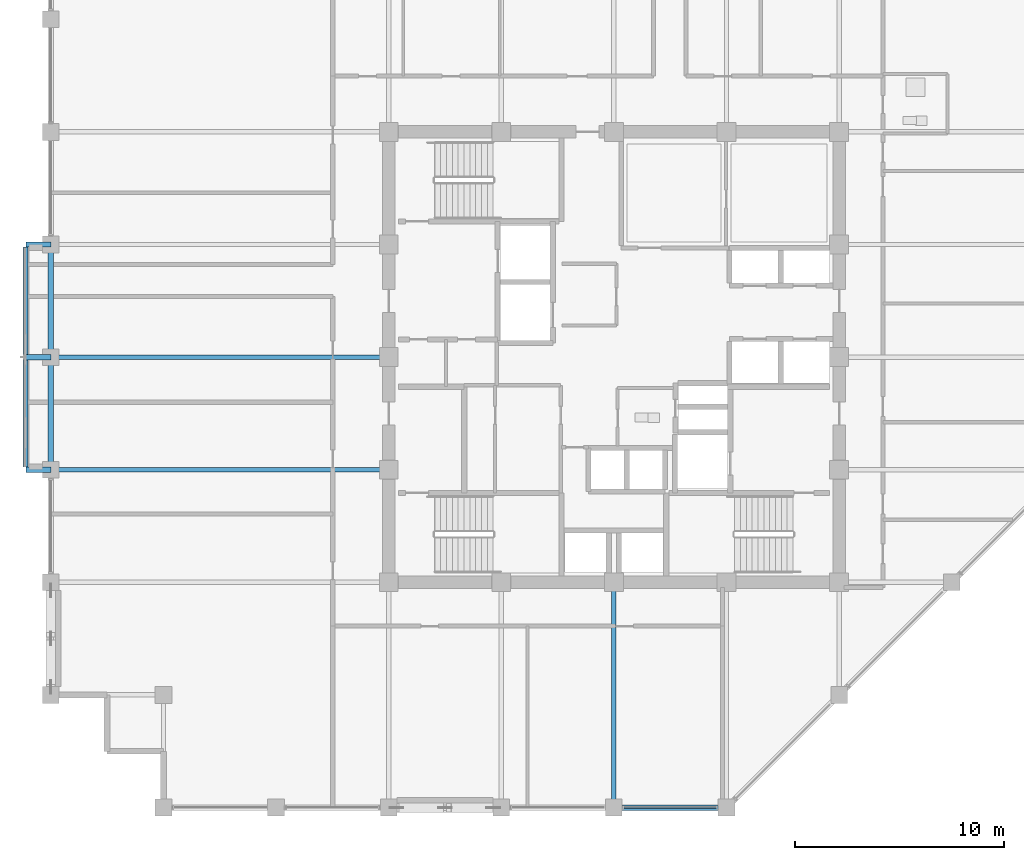
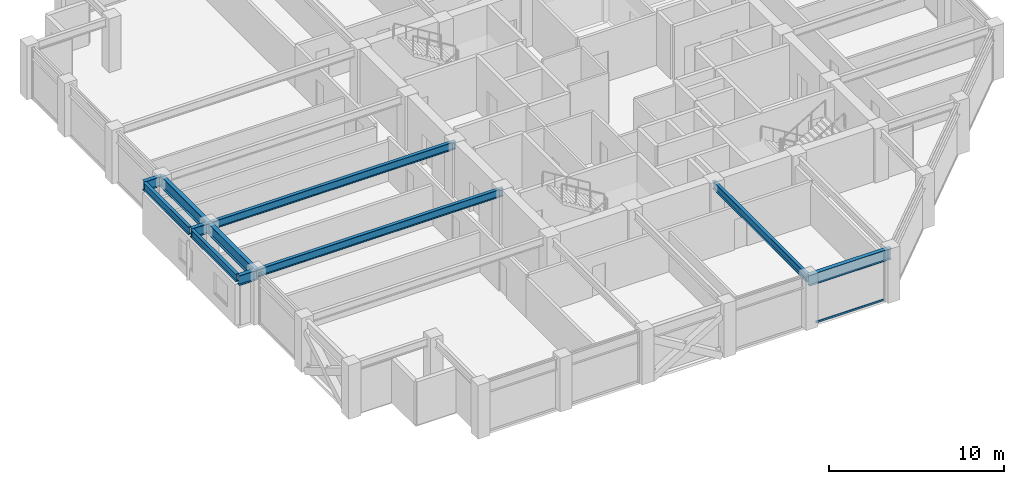
# One storey, part 7 of 30: 11 beams, 1 member, 1 element without a shape of its own.
"""IFC4 building model written with IfcOpenShell, lengths in metres."""

from ifc_helpers import new_model, si_unit, direction, frame, origin, origin_2d, place, context, subcontext, project, spatial, hollow_rectangle, i_section, extrude, material, layer, layer_set, material_profile, profile_set, type_object, element, aggregate, save


model = new_model("IFC4")

# Units and contexts
model_context = context("Model", 3, precision=1e-05, world=origin(), true_north=direction((0.0, 1.0)))
body_context = subcontext(model_context, "Body", "Model", "MODEL_VIEW")
ifc_project = project(units=[si_unit("LENGTHUNIT", "METRE"), si_unit("AREAUNIT", "SQUARE_METRE"), si_unit("VOLUMEUNIT", "CUBIC_METRE"), si_unit("PLANEANGLEUNIT", "RADIAN"), si_unit("MASSUNIT", "GRAM", prefix="KILO")], contexts=[model_context])

# Site, building, storey
site_placement = place(None, origin())
site = spatial("IfcSite", under=ifc_project, at=site_placement, CompositionType="ELEMENT")
building_placement = place(site_placement, origin())
building = spatial("IfcBuilding", under=site, at=building_placement, Name="Surkhivell Harbour Commons", CompositionType="ELEMENT")
storey_placement = place(building_placement, frame((0.0, 0.0, 227.25)))
storey = spatial("IfcBuildingStorey", under=building, at=storey_placement, Name="L59", CompositionType="ELEMENT", Elevation=227.25)

# Beams
ifc_material_1 = material(Name="Steel S460", Category="steel")
ifc_material_profile_1 = material_profile(ifc_material_1, i_section(OverallWidth=0.256103515625, OverallDepth=0.693115234375, WebThickness=0.014404296875, FlangeThickness=0.023681640625, at=origin_2d()), Name="UB686x254x170")
ifc_profile_set_1 = profile_set([ifc_material_profile_1], Name="Steel S460")
beam_type_1 = type_object("IfcBeamType", Name="BM-CNT-686", PredefinedType="BEAM", material=ifc_profile_set_1)
for number, where, z_axis, x_axis, name in (
    (1, (-27.0, -5.39990234375, 3.223388671875), (-1.0, 0.0, 0.0), (0.0, -1.0, 0.0), "L59 Box Cantilever Outrigger (-27.0,-5.4)"),
    (2, (-27.0, 0.0, 3.223388671875), (-1.0, 0.0, 0.0), (0.0, -1.0, 0.0), "L59 Box Cantilever Outrigger (-27.0,0.0)"),
    (3, (-27.0, 5.39990234375, 3.223388671875), (-1.0, 0.0, 0.0), (0.0, -1.0, 0.0), "L59 Box Cantilever Outrigger (-27.0,5.4)"),
):
    element("IfcBeam", number, at=place(storey_placement, frame(where, z_axis=z_axis, x_axis=x_axis)), inside=storey, type_object=beam_type_1, Name=name, PredefinedType="BEAM", context=body_context, shape_type="SweptSolid", body=[
        extrude(i_section(OverallWidth=0.256103515625, OverallDepth=0.693115234375, WebThickness=0.014404296875, FlangeThickness=0.023681640625, at=origin_2d()), origin(), (0.0, 0.0, 1.0), 1.199951171875),
    ])
ifc_material_2 = material(Name="Steel S355", Category="steel")
ifc_material_profile_2 = material_profile(ifc_material_2, i_section(OverallWidth=0.2119140625, OverallDepth=0.5439453125, WebThickness=0.0126953125, FlangeThickness=0.021240234375, at=origin_2d()), Name="UB533x210x122")
ifc_profile_set_2 = profile_set([ifc_material_profile_2], Name="Steel S355")
beam_type_2 = type_object("IfcBeamType", Name="BM-GRD-533A", PredefinedType="BEAM", material=ifc_profile_set_2)
for number, where, z_axis, x_axis, name in (
    (4, (-27.0, -5.39990234375, 3.298095703125), (1.0, 0.0, 0.0), (0.0, 1.0, 0.0), "L59 Floor Girder (-27.0,-5.4)"),
    (5, (-27.0, 0.0, 3.298095703125), (1.0, 0.0, 0.0), (0.0, 1.0, 0.0), "L59 Floor Girder (-27.0,0.0)"),
):
    element("IfcBeam", number, at=place(storey_placement, frame(where, z_axis=z_axis, x_axis=x_axis)), inside=storey, type_object=beam_type_2, Name=name, PredefinedType="BEAM", context=body_context, shape_type="SweptSolid", body=[
        extrude(i_section(OverallWidth=0.2119140625, OverallDepth=0.5439453125, WebThickness=0.0126953125, FlangeThickness=0.021240234375, at=origin_2d()), origin(), (0.0, 0.0, 1.0), 16.199951171875),
    ])
beam_placement = place(storey_placement, frame((0.0, -21.60009765625, 3.298095703125), z_axis=(0.0, 1.0, 0.0), x_axis=(-1.0, 0.0, 0.0)))
element("IfcBeam", 6, at=beam_placement, inside=storey, type_object=beam_type_2, Name="L59 Floor Girder (0.0,-21.6)", PredefinedType="BEAM", context=body_context, shape_type="SweptSolid", body=[
    extrude(i_section(OverallWidth=0.2119140625, OverallDepth=0.5439453125, WebThickness=0.0126953125, FlangeThickness=0.021240234375, at=origin_2d()), origin(), (0.0, 0.0, 1.0), 10.800048828125),
])
ifc_material_profile_3 = material_profile(ifc_material_2, i_section(OverallWidth=0.2099609375, OverallDepth=0.537109375, WebThickness=0.0107421875, FlangeThickness=0.017333984375, at=origin_2d()), Name="UB533x210x101")
ifc_profile_set_3 = profile_set([ifc_material_profile_3], Name="Steel S355")
beam_type_3 = type_object("IfcBeamType", Name="BM-GRD-533B", PredefinedType="BEAM", material=ifc_profile_set_3)
for number, where, z_axis, x_axis, name in (
    (7, (-28.199951171875, -5.278076171875, 3.301513671875), (0.0, 1.0, 0.0), (-1.0, 0.0, 0.0), "L59 Box Rim Spandrel (-28.2,-5.4)"),
    (8, (-28.199951171875, 0.1220703125, 3.301513671875), (0.0, 1.0, 0.0), (-1.0, 0.0, 0.0), "L59 Box Rim Spandrel (-28.2,0.0)"),
):
    element("IfcBeam", number, at=place(storey_placement, frame(where, z_axis=z_axis, x_axis=x_axis)), inside=storey, type_object=beam_type_3, Name=name, PredefinedType="BEAM", context=body_context, shape_type="SweptSolid", body=[
        extrude(i_section(OverallWidth=0.2099609375, OverallDepth=0.537109375, WebThickness=0.0107421875, FlangeThickness=0.017333984375, at=origin_2d()), origin(), (0.0, 0.0, 1.0), 5.156005859375),
    ])
ifc_material_profile_4 = material_profile(ifc_material_2, i_section(OverallWidth=0.26806640625, OverallDepth=0.77001953125, WebThickness=0.015625, FlangeThickness=0.025390625, at=origin_2d()), Name="UB762x267x197")
ifc_profile_set_4 = profile_set([ifc_material_profile_4], Name="Steel S355")
beam_type_4 = type_object("IfcBeamType", Name="BM-SPN-762", PredefinedType="SPANDREL", material=ifc_profile_set_4)
for number, where, z_axis, x_axis, name in (
    (9, (-27.0, -5.39990234375, 3.18505859375), (0.0, 1.0, 0.0), (-1.0, 0.0, 0.0), "L59 Tube Spandrel (-27.0,-5.4)"),
    (10, (-27.0, 0.0, 3.18505859375), (0.0, 1.0, 0.0), (-1.0, 0.0, 0.0), "L59 Tube Spandrel (-27.0,0.0)"),
    (11, (0.0, -21.60009765625, 3.18505859375), (1.0, 0.0, 0.0), (0.0, 1.0, 0.0), "L59 Tube Spandrel (-0.0,-21.6)"),
):
    element("IfcBeam", number, at=place(storey_placement, frame(where, z_axis=z_axis, x_axis=x_axis)), inside=storey, type_object=beam_type_4, Name=name, PredefinedType="SPANDREL", context=body_context, shape_type="SweptSolid", body=[
        extrude(i_section(OverallWidth=0.26806640625, OverallDepth=0.77001953125, WebThickness=0.015625, FlangeThickness=0.025390625, at=origin_2d()), origin(), (0.0, 0.0, 1.0), 5.39990234375),
    ])

# Curtain wall, member
ifc_material_3 = material(Name="Anodised pale-metal aluminium and insulated glazing", Category="aluminium")
ifc_layer = layer(ifc_material_3, 0.18994140625)
ifc_layer_set = layer_set([ifc_layer], Name="Anodised pale-metal aluminium and insulated glazing")
curtain_wall_type = type_object("IfcCurtainWallType", Name="CW-SYS-Z3", PredefinedType="NOTDEFINED", material=ifc_layer_set)
curtain_wall_placement = place(storey_placement, origin())
curtain_wall = element("IfcCurtainWall", 12, at=curtain_wall_placement, inside=storey, type_object=curtain_wall_type, Name="L59 Curtain Wall CW-L59-E00S2", PredefinedType="NOTDEFINED")
ifc_material_4 = material(Name="Champagne anodised aluminium alloy 6063-T6", Category="aluminium")
ifc_material_profile_5 = material_profile(ifc_material_4, hollow_rectangle(XDim=0.070068359375, YDim=0.1298828125, WallThickness=0.00341796875, at=origin_2d()), Name="ALU-TRAN-70x130")
ifc_profile_set_5 = profile_set([ifc_material_profile_5], Name="Champagne anodised aluminium alloy 6063-T6")
member_type = type_object("IfcMemberType", Name="CWT-130", PredefinedType="USERDEFINED", material=ifc_profile_set_5)
member_placement = place(storey_placement, frame((0.47705078125, -21.60009765625, 0.06494140625), z_axis=(1.0, 0.0, 0.0), x_axis=(0.0, 1.0, 0.0)))
member = element("IfcMember", 13, at=member_placement, type_object=member_type, Name="CW-Z3 transom 2.1", ObjectType="TRANSOM", PredefinedType="USERDEFINED", context=body_context, shape_type="SweptSolid", body=[
    extrude(hollow_rectangle(XDim=0.070068359375, YDim=0.1298828125, WallThickness=0.00341796875, at=origin_2d()), origin(), (0.0, 0.0, 1.0), 4.446044921875),
])
aggregate(curtain_wall, [member])

save(model, "model.ifc")
